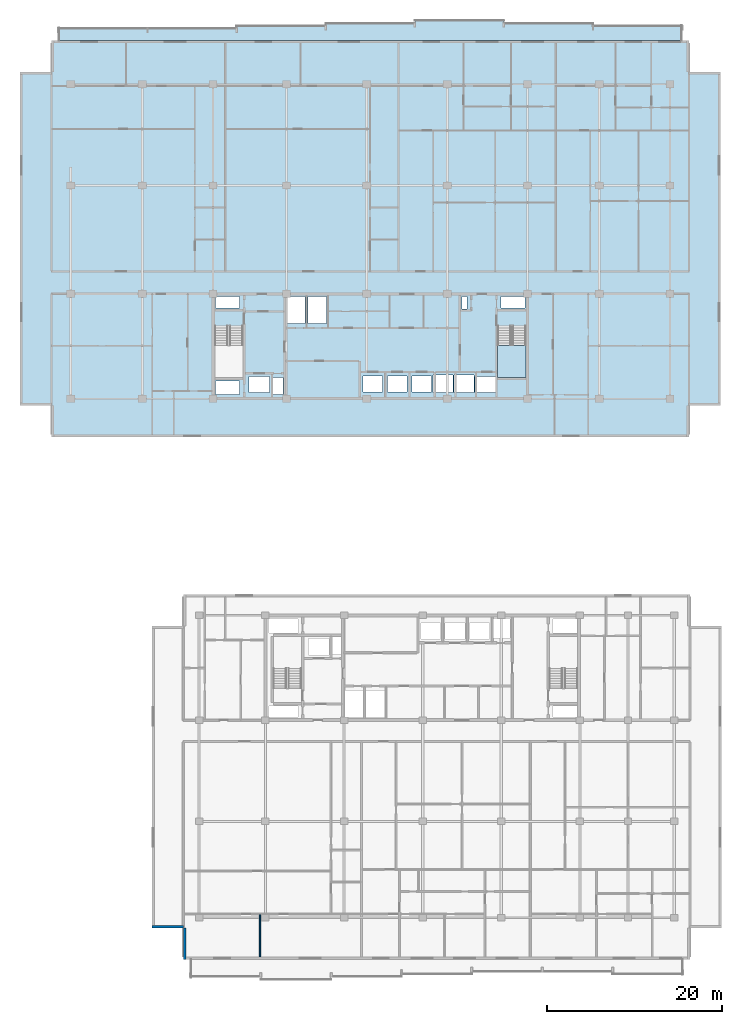
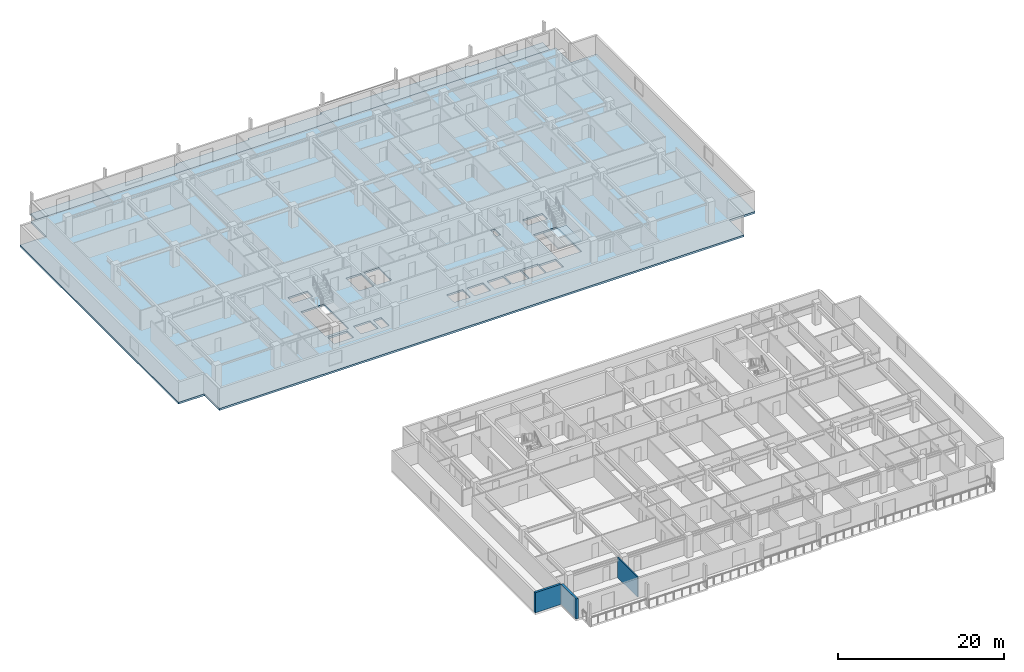
# One storey, part 3 of 21: 3 slabs, 3 walls, 1 element without a shape of its own.
"""IFC4 building model written with IfcOpenShell, lengths in metres."""

from ifc_helpers import new_model, si_unit, direction, frame, frame_2d, origin, place, context, subcontext, project, spatial, polyline, rectangle, outline, extrude, material, layer, layer_set, type_object, element, aggregate, save


model = new_model("IFC4")

# Units and contexts
model_context = context("Model", 3, precision=1e-05, world=origin(), true_north=direction((0.0, 1.0)))
body_context = subcontext(model_context, "Body", "Model", "MODEL_VIEW")
ifc_project = project(units=[si_unit("LENGTHUNIT", "METRE"), si_unit("AREAUNIT", "SQUARE_METRE"), si_unit("VOLUMEUNIT", "CUBIC_METRE"), si_unit("PLANEANGLEUNIT", "RADIAN"), si_unit("MASSUNIT", "GRAM", prefix="KILO")], contexts=[model_context])

# Site, building, storey
site_placement = place(None, origin())
site = spatial("IfcSite", under=ifc_project, at=site_placement, CompositionType="ELEMENT")
building_placement = place(site_placement, origin())
building = spatial("IfcBuilding", under=site, at=building_placement, Name="Korimba Cascade Residences", CompositionType="ELEMENT")
storey_placement = place(building_placement, frame((0.0, 0.0, 123.050048828125)))
storey = spatial("IfcBuildingStorey", under=building, at=storey_placement, Name="L35", CompositionType="ELEMENT", Elevation=123.050048828125)

# Stair, slab
ifc_material_1 = material(Name="Concrete C50/60", Category="concrete")
stair_type = type_object("IfcStairType", Name="STR-W2-18R-1806", PredefinedType="HALF_TURN_STAIR", material=ifc_material_1)
stair_placement = place(storey_placement, origin())
stair = element("IfcStair", 1, at=stair_placement, inside=storey, type_object=stair_type, Name="L35 Tower 1 East Fire Stair ST-W2", PredefinedType="HALF_TURN_STAIR")
ifc_layer_1 = layer(ifc_material_1, 0.199951171875)
ifc_layer_set_1 = layer_set([ifc_layer_1], Name="Concrete C50/60")
slab_type_1 = type_object("IfcSlabType", Name="SLB-LND-220", PredefinedType="LANDING", material=ifc_layer_set_1)
slab_1_placement = place(storey_placement, frame((0.0, 0.0, 1.425048828125)))
slab_1 = element("IfcSlab", 2, at=slab_1_placement, type_object=slab_type_1, Name="ST-W2 landing 1", PredefinedType="LANDING", context=body_context, shape_type="SweptSolid", body=[
    extrude(outline(polyline([(108.659912109375, 61.31005859375), (108.659912109375, 57.60009765625), (111.89990234375, 57.60009765625), (111.89990234375, 61.31005859375), (108.659912109375, 61.31005859375)])), origin(), (0.0, 0.0, 1.0), 0.199951171875),
])
aggregate(stair, [slab_1])

# Slabs
ifc_material_2 = material(Name="Precast concrete C40/50", Category="concrete")
ifc_layer_2 = layer(ifc_material_2, 0.239990234375)
ifc_layer_set_2 = layer_set([ifc_layer_2], Name="Precast concrete C40/50")
slab_type_2 = type_object("IfcSlabType", Name="SLB-LOG-240", PredefinedType="FLOOR", material=ifc_layer_set_2)
slab_2_placement = place(storey_placement, frame((0.0, 0.0, -0.239990234375)))
element("IfcSlab", 3, at=slab_2_placement, inside=storey, type_object=slab_type_2, Name="L35 Tower 1 North Loggia Slab", PredefinedType="FLOOR", context=body_context, shape_type="SweptSolid", body=[
    extrude(outline(polyline([(58.39990234375, 96.199951171875), (129.800048828125, 96.199951171875), (129.800048828125, 97.949951171875), (119.60009765625, 97.949951171875), (119.60009765625, 98.25), (109.39990234375, 98.25), (109.39990234375, 98.550048828125), (99.199951171875, 98.550048828125), (99.199951171875, 98.25), (89.0, 98.25), (89.0, 97.949951171875), (78.800048828125, 97.949951171875), (78.800048828125, 97.64990234375), (58.39990234375, 97.64990234375), (58.39990234375, 96.199951171875)])), origin(), (0.0, 0.0, 1.0), 0.239990234375),
])
ifc_layer_3 = layer(ifc_material_1, 0.280029296875)
ifc_layer_set_3 = layer_set([ifc_layer_3], Name="Concrete C50/60")
slab_type_3 = type_object("IfcSlabType", Name="SLB-TYP-280", PredefinedType="FLOOR", material=ifc_layer_set_3)
slab_3_placement = place(storey_placement, frame((0.0, 0.0, -0.280029296875)))
element("IfcSlab", 4, at=slab_3_placement, inside=storey, type_object=slab_type_3, Name="L35 Tower 1 Floor Slab", PredefinedType="FLOOR", context=body_context, shape_type="SweptSolid", body=[
    extrude(outline(polyline([(57.60009765625, 50.800048828125), (130.60009765625, 50.800048828125), (130.60009765625, 54.39990234375), (134.199951171875, 54.39990234375), (134.199951171875, 92.60009765625), (130.60009765625, 92.60009765625), (130.60009765625, 96.199951171875), (57.60009765625, 96.199951171875), (57.60009765625, 92.60009765625), (54.0, 92.60009765625), (54.0, 54.39990234375), (57.60009765625, 54.39990234375), (57.60009765625, 50.800048828125)]), holes=[polyline([(76.300048828125, 63.514892578125), (76.300048828125, 57.60009765625), (79.5400390625, 57.60009765625), (79.5400390625, 63.514892578125), (76.300048828125, 63.514892578125)]), polyline([(108.659912109375, 63.514892578125), (108.659912109375, 57.60009765625), (111.89990234375, 57.60009765625), (111.89990234375, 63.514892578125), (108.659912109375, 63.514892578125)]), polyline([(80.22998046875, 55.8798828125), (82.570068359375, 55.8798828125), (82.570068359375, 57.719970703125), (80.22998046875, 57.719970703125), (80.22998046875, 55.8798828125)]), polyline([(106.080078125, 55.8798828125), (108.419921875, 55.8798828125), (108.419921875, 57.719970703125), (106.080078125, 57.719970703125), (106.080078125, 55.8798828125)]), polyline([(93.280029296875, 55.97998046875), (95.52001953125, 55.97998046875), (95.52001953125, 57.820068359375), (93.280029296875, 57.820068359375), (93.280029296875, 55.97998046875)]), polyline([(96.080078125, 55.97998046875), (98.320068359375, 55.97998046875), (98.320068359375, 57.820068359375), (96.080078125, 57.820068359375), (96.080078125, 55.97998046875)]), polyline([(98.8798828125, 55.97998046875), (101.1201171875, 55.97998046875), (101.1201171875, 57.820068359375), (98.8798828125, 57.820068359375), (98.8798828125, 55.97998046875)]), polyline([(101.304931640625, 55.8798828125), (103.594970703125, 55.8798828125), (103.594970703125, 57.919921875), (101.304931640625, 57.919921875), (101.304931640625, 55.8798828125)]), polyline([(103.705078125, 55.8798828125), (105.9951171875, 55.8798828125), (105.9951171875, 57.919921875), (103.705078125, 57.919921875), (103.705078125, 55.8798828125)]), polyline([(82.97998046875, 55.679931640625), (84.080078125, 55.679931640625), (84.080078125, 57.6201171875), (82.97998046875, 57.6201171875), (82.97998046875, 55.679931640625)]), polyline([(76.39990234375, 65.56005859375), (79.10009765625, 65.56005859375), (79.10009765625, 66.8798828125), (76.39990234375, 66.8798828125), (76.39990234375, 65.56005859375)]), polyline([(76.39990234375, 55.679931640625), (79.10009765625, 55.679931640625), (79.10009765625, 57.239990234375), (76.39990234375, 57.239990234375), (76.39990234375, 55.679931640625)]), polyline([(84.530029296875, 63.820068359375), (86.6201171875, 63.820068359375), (86.6201171875, 66.8798828125), (84.530029296875, 66.8798828125), (84.530029296875, 63.820068359375)]), polyline([(86.97998046875, 63.820068359375), (89.070068359375, 63.820068359375), (89.070068359375, 66.8798828125), (86.97998046875, 66.8798828125), (86.97998046875, 63.820068359375)]), polyline([(104.6201171875, 65.4599609375), (105.179931640625, 65.4599609375), (105.179931640625, 66.8798828125), (104.6201171875, 66.8798828125), (104.6201171875, 65.4599609375)]), polyline([(109.080078125, 65.56005859375), (111.800048828125, 65.56005859375), (111.800048828125, 66.8798828125), (109.080078125, 66.8798828125), (109.080078125, 65.56005859375)])]), origin(), (0.0, 0.0, 1.0), 0.280029296875),
])

# Walls
ifc_layer_4 = layer(ifc_material_2, 0.300048828125)
ifc_layer_set_4 = layer_set([ifc_layer_4], Name="Precast concrete C40/50")
wall_type_1 = type_object("IfcWallType", Name="EW-STONE-300", PredefinedType="STANDARD", material=ifc_layer_set_4)
wall_1_placement = place(storey_placement, frame((69.10009765625, -5.25, 0.0), z_axis=(0.0, 0.0, 1.0), x_axis=(1.0, 0.0, 0.0)))
element("IfcWall", 5, at=wall_1_placement, inside=storey, type_object=wall_type_1, Name="L35 T2 Perimeter Stone Wall E10", PredefinedType="STANDARD", context=body_context, shape_type="SweptSolid", body=[
    extrude(rectangle(XDim=3.599853515625, YDim=0.300048828125, at=frame_2d((1.7998046875, 0.0))), origin(), (0.0, 0.0, 1.0), 2.969970703125),
])
wall_2_placement = place(storey_placement, frame((72.85009765625, -5.39990234375, 0.0), z_axis=(0.0, 0.0, 1.0), x_axis=(0.0, -1.0, 0.0)))
element("IfcWall", 6, at=wall_2_placement, inside=storey, type_object=wall_type_1, Name="L35 T2 Perimeter Stone Wall E11", PredefinedType="STANDARD", context=body_context, shape_type="SweptSolid", body=[
    extrude(rectangle(XDim=3.60009765625, YDim=0.300048828125, at=frame_2d((1.800048828125, 0.0))), origin(), (0.0, 0.0, 1.0), 2.969970703125),
])
ifc_material_3 = material(Name="Insulated Acoustic Stud Partition", Category="gypsum")
ifc_layer_5 = layer(ifc_material_3, 0.14990234375)
ifc_layer_set_5 = layer_set([ifc_layer_5], Name="Insulated Acoustic Stud Partition")
wall_type_2 = type_object("IfcWallType", Name="WAL-PART-150", PredefinedType="PARTITIONING", material=ifc_layer_set_5)
wall_3_placement = place(storey_placement, frame((81.475341796875, -8.699951171875, 0.0), z_axis=(0.0, 0.0, 1.0), x_axis=(0.0, 1.0, 0.0)))
element("IfcWall", 7, at=wall_3_placement, inside=storey, type_object=wall_type_2, Name="L35 Partition Wall WAL-L35-T2-U01-OUTV", PredefinedType="PARTITIONING", context=body_context, shape_type="SweptSolid", body=[
    extrude(rectangle(XDim=4.820068359375, YDim=0.14990234375, at=frame_2d((2.41015625, 0.0))), origin(), (0.0, 0.0, 1.0), 2.969970703125),
])

save(model, "model.ifc")
